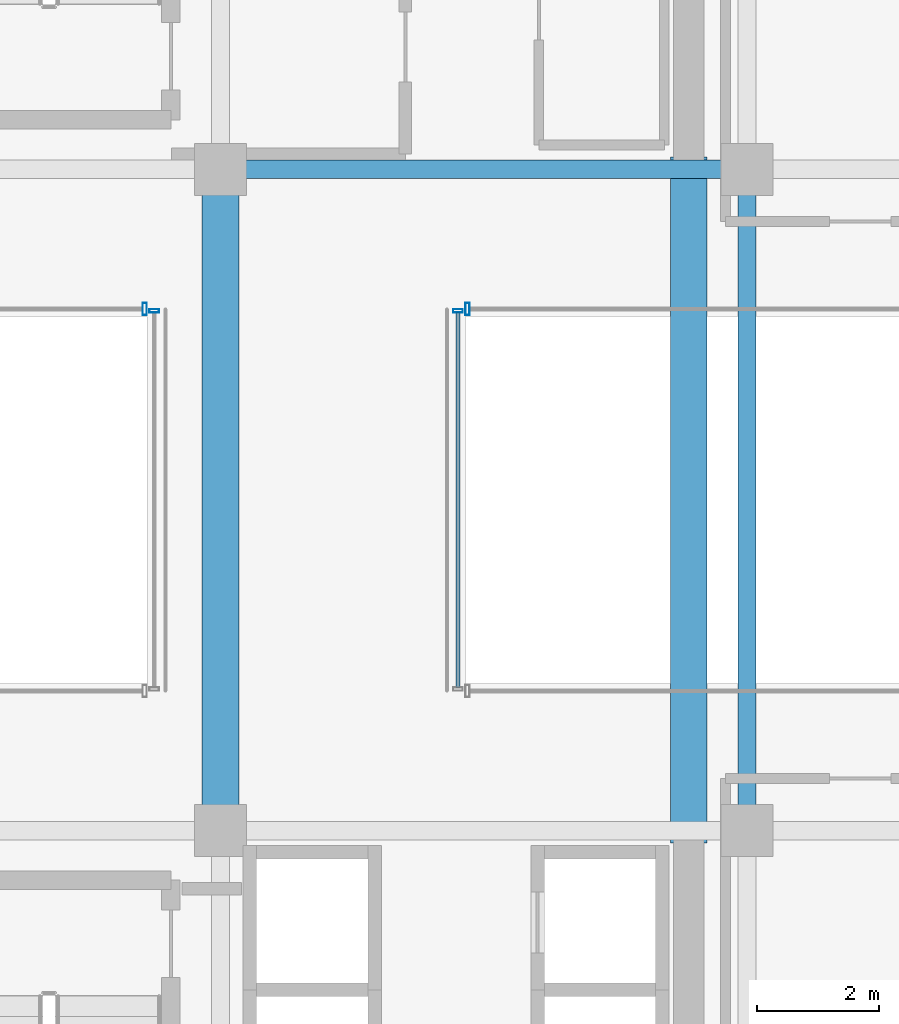
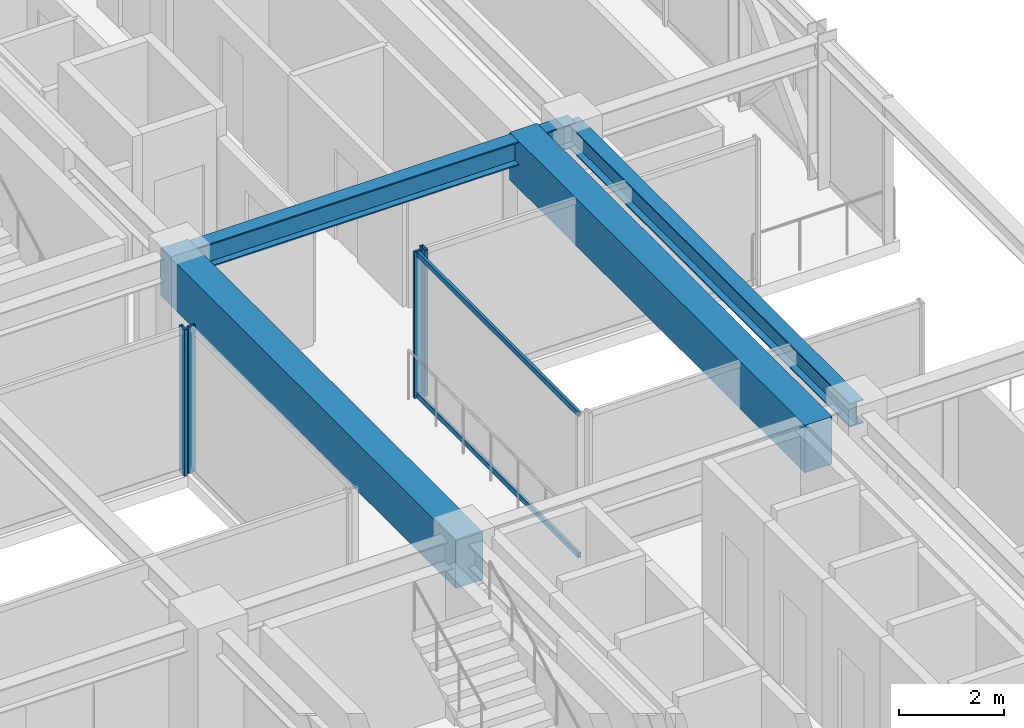
# One storey, part 17 of 35: 6 members, 4 beams, 4 elements without a shape of their own.
"""IFC4 building model written with IfcOpenShell, lengths in metres."""

from ifc_helpers import new_model, si_unit, direction, frame, origin, origin_2d, place, context, subcontext, project, spatial, rectangle, hollow_rectangle, i_section, extrude, source, transform, mapped, material, material_profile, profile_set, type_object, element, aggregate, save


model = new_model("IFC4")

# Units and contexts
model_context = context("Model", 3, precision=1e-05, world=origin(), true_north=direction((0.0, 1.0)))
body_context = subcontext(model_context, "Body", "Model", "MODEL_VIEW")
ifc_project = project(units=[si_unit("LENGTHUNIT", "METRE"), si_unit("AREAUNIT", "SQUARE_METRE"), si_unit("VOLUMEUNIT", "CUBIC_METRE"), si_unit("PLANEANGLEUNIT", "RADIAN"), si_unit("MASSUNIT", "GRAM", prefix="KILO")], contexts=[model_context])

# Site, building, storey
site_placement = place(None, origin())
site = spatial("IfcSite", under=ifc_project, at=site_placement, CompositionType="ELEMENT")
building_placement = place(site_placement, origin())
building = spatial("IfcBuilding", under=site, at=building_placement, Name="Nahalor Promenade Grand Hotel", CompositionType="ELEMENT")
storey_placement = place(building_placement, frame((0.0, 0.0, 185.5)))
storey = spatial("IfcBuildingStorey", under=building, at=storey_placement, Name="L47", CompositionType="ELEMENT", Elevation=185.5)

# Beams
ifc_material_1 = material(Name="Concrete B-60 (C50/60)", Category="concrete")
ifc_material_profile_1 = material_profile(ifc_material_1, rectangle(XDim=0.6, YDim=1.1, at=origin_2d()), Name="RC 600x1100")
ifc_profile_set_1 = profile_set([ifc_material_profile_1], Name="Concrete B-60 (C50/60)")
beam_type_1 = type_object("IfcBeamType", Name="Beam-Lintel-RC1100", PredefinedType="LINTEL", material=ifc_profile_set_1)
shared_shape_1 = source(origin(), body_context, "Body", "SweptSolid", [
    extrude(rectangle(XDim=0.6, YDim=1.1, at=origin_2d()), origin(), (0.0, 0.0, 1.0), 11.2001953125),
])
for number, where, z_axis, x_axis, name in (
    (1, (8.39990234375, -5.60009765625, 2.840087890625), (0.0, 1.0, 0.0), (-1.0, 0.0, 0.0), "BM-L47-LINT-W"),
    (2, (16.050048828125, -5.60009765625, 2.840087890625), (0.0, 1.0, 0.0), (-1.0, 0.0, 0.0), "BM-L47-LINT-E"),
):
    element("IfcBeam", number, at=place(storey_placement, frame(where, z_axis=z_axis, x_axis=x_axis)), inside=storey, type_object=beam_type_1, Name=name, PredefinedType="LINTEL", context=body_context, shape_type="MappedRepresentation", body=[
        mapped(shared_shape_1, transform((0.0, 0.0, 0.0), scale=1.0)),
    ])
ifc_material_2 = material(Name="Steel S355JR", Category="steel")
ifc_material_profile_2 = material_profile(ifc_material_2, i_section(OverallWidth=0.3, OverallDepth=0.55, WebThickness=0.015, FlangeThickness=0.029, at=origin_2d()), Name="HEB 550")
ifc_profile_set_2 = profile_set([ifc_material_profile_2], Name="Steel S355JR")
beam_type_2 = type_object("IfcBeamType", Name="Beam-Girder-HEB550", PredefinedType="BEAM", material=ifc_profile_set_2)
shared_shape_2 = source(origin(), body_context, "Body", "SweptSolid", [
    extrude(i_section(OverallWidth=0.3, OverallDepth=0.55, WebThickness=0.015, FlangeThickness=0.029, at=origin_2d()), origin(), (0.0, 0.0, 1.0), 8.60009765625),
])
beam_1_placement = place(storey_placement, frame((8.39990234375, 5.39990234375, 3.114990234375), z_axis=(1.0, 0.0, 0.0), x_axis=(0.0, 1.0, 0.0)))
element("IfcBeam", 3, at=beam_1_placement, inside=storey, type_object=beam_type_2, Name="BM-L47-GX-2-5", PredefinedType="BEAM", context=body_context, shape_type="MappedRepresentation", body=[
    mapped(shared_shape_2, transform((0.0, 0.0, 0.0), scale=1.0)),
])
shared_shape_3 = source(origin(), body_context, "Body", "SweptSolid", [
    extrude(i_section(OverallWidth=0.3, OverallDepth=0.55, WebThickness=0.015, FlangeThickness=0.029, at=origin_2d()), origin(), (0.0, 0.0, 1.0), 10.7998046875),
])
beam_2_placement = place(storey_placement, frame((17.0, -5.39990234375, 3.114990234375), z_axis=(0.0, 1.0, 0.0), x_axis=(-1.0, 0.0, 0.0)))
element("IfcBeam", 4, at=beam_2_placement, inside=storey, type_object=beam_type_2, Name="BM-L47-GY-5-2", PredefinedType="BEAM", context=body_context, shape_type="MappedRepresentation", body=[
    mapped(shared_shape_3, transform((0.0, 0.0, 0.0), scale=1.0)),
])

# Curtain wall, members
ifc_material_3 = material(Name="Anodised Bronze Aluminium EN AW-6063 T6", Category="aluminium")
curtain_wall_type_1 = type_object("IfcCurtainWallType", Name="CW4 Low-Iron Sky-Gallery Bridge Curtain Wall", PredefinedType="USERDEFINED", material=ifc_material_3)
curtain_wall_1_placement = place(storey_placement, origin())
curtain_wall_1 = element("IfcCurtainWall", 5, at=curtain_wall_1_placement, inside=storey, type_object=curtain_wall_type_1, Name="L47 Curtain Wall CW-L47-BRG-E", ObjectType="UNITISED_CURTAIN_WALL", PredefinedType="USERDEFINED")
ifc_material_profile_3 = material_profile(ifc_material_3, hollow_rectangle(XDim=0.06, YDim=0.12, WallThickness=0.004, at=origin_2d()), Name="CWT 60x120x4")
ifc_profile_set_3 = profile_set([ifc_material_profile_3], Name="Anodised Bronze Aluminium EN AW-6063 T6")
member_type_1 = type_object("IfcMemberType", Name="CWT4 Sky-Gallery Slim Transom 60x120", PredefinedType="USERDEFINED", material=ifc_profile_set_3)
shared_shape_4 = source(origin(), body_context, "Body", "SweptSolid", [
    extrude(hollow_rectangle(XDim=0.06, YDim=0.12, WallThickness=0.004, at=origin_2d()), origin(), (0.0, 0.0, 1.0), 6.1181640625),
])
member_1_placement = place(storey_placement, frame((12.280029296875, -3.05908203125, 0.06005859375), z_axis=(0.0, 1.0, 0.0), x_axis=(-1.0, 0.0, 0.0)))
member_1 = element("IfcMember", 6, at=member_1_placement, type_object=member_type_1, Name="CW-L47-BRG-E Transom 0-0", ObjectType="TRANSOM", PredefinedType="USERDEFINED", context=body_context, shape_type="MappedRepresentation", body=[
    mapped(shared_shape_4, transform((0.0, 0.0, 0.0), scale=1.0)),
])
member_2_placement = place(storey_placement, frame((12.280029296875, -3.05908203125, 3.330078125), z_axis=(0.0, 1.0, 0.0), x_axis=(-1.0, 0.0, 0.0)))
member_2 = element("IfcMember", 7, at=member_2_placement, type_object=member_type_1, Name="CW-L47-BRG-E Transom 0-1", ObjectType="TRANSOM", PredefinedType="USERDEFINED", context=body_context, shape_type="MappedRepresentation", body=[
    mapped(shared_shape_4, transform((0.0, 0.0, 0.0), scale=1.0)),
])

# Curtain wall, member
curtain_wall_type_2 = type_object("IfcCurtainWallType", Name="CW3 Elliptical-Void Collar Unitised Curtain Wall", PredefinedType="USERDEFINED", material=ifc_material_3)
curtain_wall_2_placement = place(storey_placement, origin())
curtain_wall_2 = element("IfcCurtainWall", 8, at=curtain_wall_2_placement, inside=storey, type_object=curtain_wall_type_2, Name="L47 Curtain Wall CW-L47-VOID-WN1", ObjectType="UNITISED_CURTAIN_WALL", PredefinedType="USERDEFINED")
ifc_material_profile_4 = material_profile(ifc_material_3, hollow_rectangle(XDim=0.07, YDim=0.2, WallThickness=0.005, at=origin_2d()), Name="CWM 70x200x5")
ifc_profile_set_4 = profile_set([ifc_material_profile_4], Name="Anodised Bronze Aluminium EN AW-6063 T6")
member_type_2 = type_object("IfcMemberType", Name="CWM3 Void Collar Mullion 70x200", PredefinedType="MULLION", material=ifc_profile_set_4)
shared_shape_5 = source(origin(), body_context, "Body", "SweptSolid", [
    extrude(hollow_rectangle(XDim=0.07, YDim=0.2, WallThickness=0.005, at=origin_2d()), origin(), (0.0, 0.0, 1.0), 3.389892578125),
])
member_3_placement = place(storey_placement, frame((7.1650390625, 3.118896484375, 0.0), z_axis=(0.0, 0.0, 1.0), x_axis=(1.0, 0.0, 0.0)))
member_3 = element("IfcMember", 9, at=member_3_placement, type_object=member_type_2, Name="CW-L47-VOID-WN1 Mullion 3", PredefinedType="MULLION", context=body_context, shape_type="MappedRepresentation", body=[
    mapped(shared_shape_5, transform((0.0, 0.0, 0.0), scale=1.0)),
])
aggregate(curtain_wall_2, [member_3])

curtain_wall_3_placement = place(storey_placement, origin())
curtain_wall_3 = element("IfcCurtainWall", 10, at=curtain_wall_3_placement, inside=storey, type_object=curtain_wall_type_2, Name="L47 Curtain Wall CW-L47-VOID-EN1", ObjectType="UNITISED_CURTAIN_WALL", PredefinedType="USERDEFINED")
member_4_placement = place(storey_placement, frame((12.43505859375, 3.118896484375, 0.0), z_axis=(0.0, 0.0, 1.0), x_axis=(1.0, 0.0, 0.0)))
member_4 = element("IfcMember", 11, at=member_4_placement, type_object=member_type_2, Name="CW-L47-VOID-EN1 Mullion 0", PredefinedType="MULLION", context=body_context, shape_type="MappedRepresentation", body=[
    mapped(shared_shape_5, transform((0.0, 0.0, 0.0), scale=1.0)),
])
aggregate(curtain_wall_3, [member_4])

curtain_wall_4_placement = place(storey_placement, origin())
curtain_wall_4 = element("IfcCurtainWall", 12, at=curtain_wall_4_placement, inside=storey, type_object=curtain_wall_type_1, Name="L47 Curtain Wall CW-L47-BRG-W", ObjectType="UNITISED_CURTAIN_WALL", PredefinedType="USERDEFINED")
ifc_material_profile_5 = material_profile(ifc_material_3, hollow_rectangle(XDim=0.06, YDim=0.16, WallThickness=0.004, at=origin_2d()), Name="CWM 60x160x4")
ifc_profile_set_5 = profile_set([ifc_material_profile_5], Name="Anodised Bronze Aluminium EN AW-6063 T6")
member_type_3 = type_object("IfcMemberType", Name="CWM4 Sky-Gallery Slim Mullion 60x160", PredefinedType="MULLION", material=ifc_profile_set_5)
shared_shape_6 = source(origin(), body_context, "Body", "SweptSolid", [
    extrude(hollow_rectangle(XDim=0.06, YDim=0.16, WallThickness=0.004, at=origin_2d()), origin(), (0.0, 0.0, 1.0), 3.389892578125),
])
member_5_placement = place(storey_placement, frame((7.320068359375, 3.089111328125, 0.0), z_axis=(0.0, 0.0, 1.0), x_axis=(0.0, 1.0, 0.0)))
member_5 = element("IfcMember", 13, at=member_5_placement, type_object=member_type_3, Name="CW-L47-BRG-W Mullion 1", PredefinedType="MULLION", context=body_context, shape_type="MappedRepresentation", body=[
    mapped(shared_shape_6, transform((0.0, 0.0, 0.0), scale=1.0)),
])
aggregate(curtain_wall_4, [member_5])

# Member
member_6_placement = place(storey_placement, frame((12.280029296875, 3.089111328125, 0.0), z_axis=(0.0, 0.0, 1.0), x_axis=(0.0, 1.0, 0.0)))
member_6 = element("IfcMember", 14, at=member_6_placement, type_object=member_type_3, Name="CW-L47-BRG-E Mullion 1", PredefinedType="MULLION", context=body_context, shape_type="MappedRepresentation", body=[
    mapped(shared_shape_6, transform((0.0, 0.0, 0.0), scale=1.0)),
])

aggregate(curtain_wall_1, [member_6, member_1, member_2])

save(model, "model.ifc")
